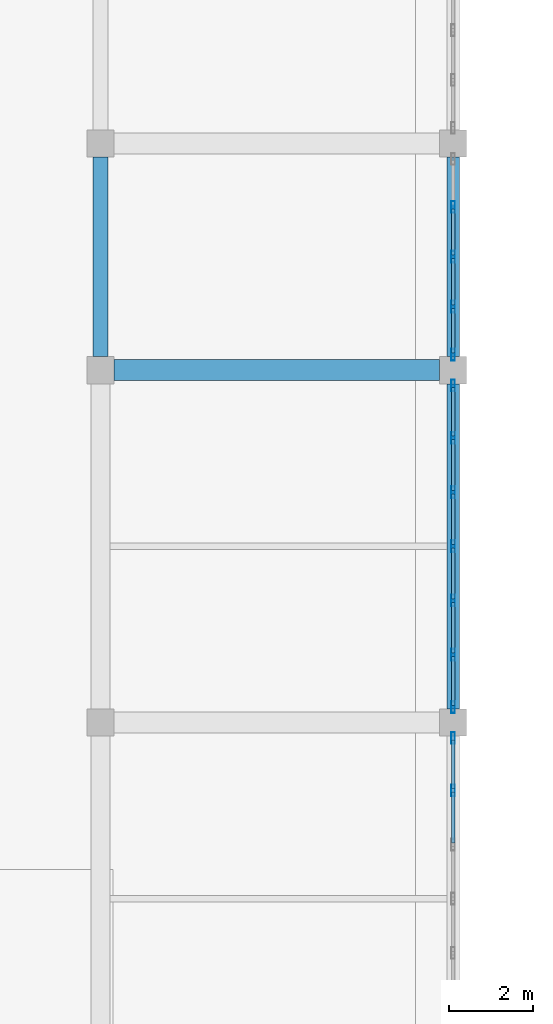
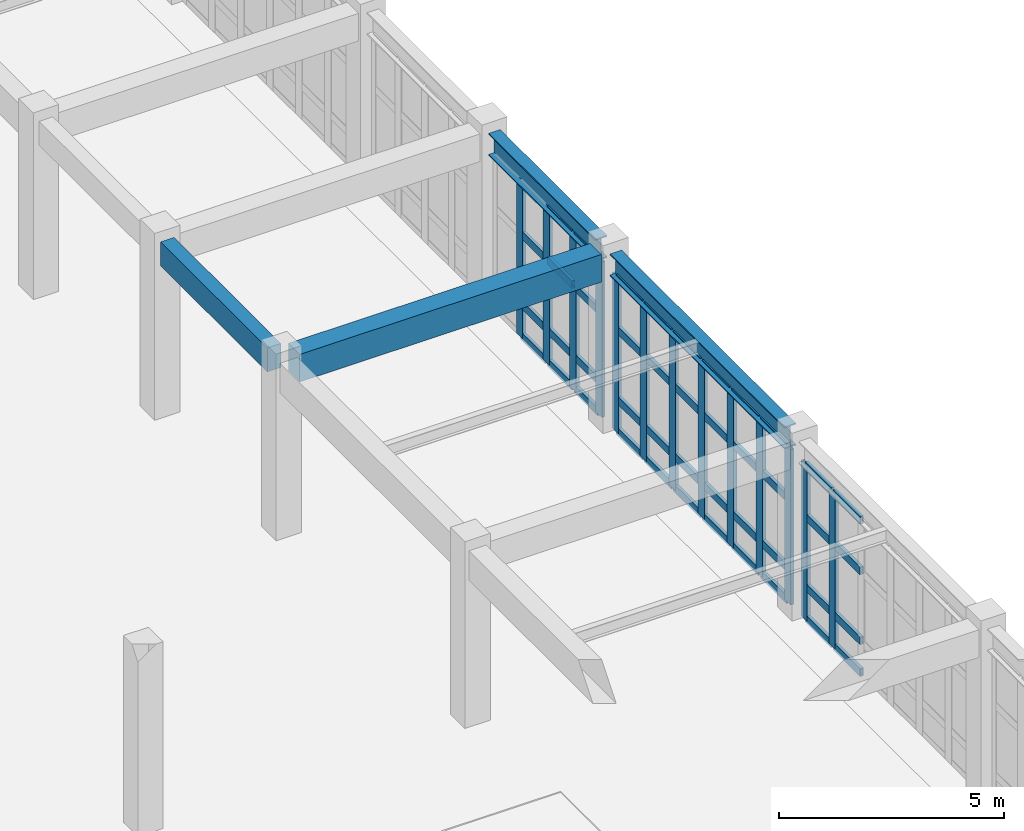
# One storey, part 27 of 80: 56 members, 4 beams, 3 elements without a shape of their own.
"""IFC4 building model written with IfcOpenShell, lengths in metres."""

from ifc_helpers import new_model, si_unit, direction, frame, origin, origin_2d, place, context, subcontext, project, spatial, rectangle, hollow_rectangle, i_section, extrude, material, layer, layer_set, material_profile, profile_set, type_object, element, aggregate, save


model = new_model("IFC4")

# Units and contexts
model_context = context("Model", 3, precision=1e-05, world=origin(), true_north=direction((0.0, 1.0)))
body_context = subcontext(model_context, "Body", "Model", "MODEL_VIEW")
ifc_project = project(units=[si_unit("LENGTHUNIT", "METRE"), si_unit("AREAUNIT", "SQUARE_METRE"), si_unit("VOLUMEUNIT", "CUBIC_METRE"), si_unit("PLANEANGLEUNIT", "RADIAN"), si_unit("MASSUNIT", "GRAM", prefix="KILO")], contexts=[model_context])

# Site, building, storey
site_placement = place(None, origin())
site = spatial("IfcSite", under=ifc_project, at=site_placement, CompositionType="ELEMENT")
building_placement = place(site_placement, origin())
building = spatial("IfcBuilding", under=site, at=building_placement, Name="Krzemoval Escarpment Law Courts", CompositionType="ELEMENT")
storey_placement = place(building_placement, origin())
storey = spatial("IfcBuildingStorey", under=building, at=storey_placement, Name="L00", CompositionType="ELEMENT", Elevation=0.0)

# Beams
ifc_material_1 = material(Name="Concrete C40/50", Category="concrete")
ifc_material_profile_1 = material_profile(ifc_material_1, rectangle(XDim=0.35009765625, YDim=0.64990234375, at=origin_2d()), Name="RCB 350x650")
ifc_profile_set_1 = profile_set([ifc_material_profile_1], Name="Concrete C40/50")
beam_type_1 = type_object("IfcBeamType", Name="BM-RC-350x650", PredefinedType="BEAM", material=ifc_profile_set_1)
beam_1_placement = place(storey_placement, frame((33.60009765625, 74.72509765625, 4.4951171875), z_axis=(0.0, 1.0, 0.0), x_axis=(-1.0, 0.0, 0.0)))
element("IfcBeam", 1, at=beam_1_placement, inside=storey, type_object=beam_type_1, Name="Beam FG-L00-0871", PredefinedType="BEAM", context=body_context, shape_type="SweptSolid", body=[
    extrude(rectangle(XDim=0.35009765625, YDim=0.64990234375, at=origin_2d()), origin(), (0.0, 0.0, 1.0), 4.75),
])
ifc_material_2 = material(Name="Concrete C40/50", Category="concrete")
ifc_material_profile_2 = material_profile(ifc_material_2, rectangle(XDim=0.5, YDim=0.75, at=origin_2d()), Name="RCB 500x750")
ifc_profile_set_2 = profile_set([ifc_material_profile_2], Name="Concrete C40/50")
beam_type_2 = type_object("IfcBeamType", Name="BM-RC-500x750", PredefinedType="BEAM", material=ifc_profile_set_2)
beam_2_placement = place(storey_placement, frame((33.925048828125, 74.39990234375, 4.445068359375), z_axis=(1.0, 0.0, 0.0), x_axis=(0.0, 1.0, 0.0)))
element("IfcBeam", 2, at=beam_2_placement, inside=storey, type_object=beam_type_2, Name="Beam FG-L00-0714", PredefinedType="BEAM", context=body_context, shape_type="SweptSolid", body=[
    extrude(rectangle(XDim=0.5, YDim=0.75, at=origin_2d()), origin(), (0.0, 0.0, 1.0), 7.75),
])

# Curtain wall, members
ifc_material_3 = material(Name="Aluminium 6063-T6", Category="aluminium")
ifc_layer = layer(ifc_material_3, 0.280029296875)
ifc_layer_set = layer_set([ifc_layer], Name="Aluminium 6063-T6")
curtain_wall_type = type_object("IfcCurtainWallType", Name="CW-HALL-5100", PredefinedType="USERDEFINED", material=ifc_layer_set)
curtain_wall_1_placement = place(storey_placement, origin())
curtain_wall_1 = element("IfcCurtainWall", 3, at=curtain_wall_1_placement, inside=storey, type_object=curtain_wall_type, Name="Unitised Curtain Wall FCW-L00-018", ObjectType="UNITISED_CURTAIN_WALL", PredefinedType="USERDEFINED")
ifc_material_4 = material(Name="Aluminium 6063-T6", Category="aluminium")
ifc_material_profile_3 = material_profile(ifc_material_4, hollow_rectangle(XDim=0.0849609375, YDim=0.280029296875, WallThickness=0.005615234375, at=origin_2d()), Name="ALU M85x280")
ifc_profile_set_3 = profile_set([ifc_material_profile_3], Name="Aluminium 6063-T6")
member_type_1 = type_object("IfcMemberType", Name="CWM-85x280", PredefinedType="MULLION", material=ifc_profile_set_3)
member_1_placement = place(storey_placement, frame((42.0, 78.28759765625, 0.0), z_axis=(0.0, 0.0, 1.0), x_axis=(1.0, 0.0, 0.0)))
member_1 = element("IfcMember", 4, at=member_1_placement, type_object=member_type_1, Name="FCW-L00-018 mullion 2", PredefinedType="MULLION", context=body_context, shape_type="SweptSolid", body=[
    extrude(hollow_rectangle(XDim=0.0849609375, YDim=0.280029296875, WallThickness=0.005615234375, at=origin_2d()), origin(), (0.0, 0.0, 1.0), 4.219970703125),
])
member_2_placement = place(storey_placement, frame((42.0, 77.10009765625, 0.0), z_axis=(0.0, 0.0, 1.0), x_axis=(1.0, 0.0, 0.0)))
member_2 = element("IfcMember", 5, at=member_2_placement, type_object=member_type_1, Name="FCW-L00-018 mullion 3", PredefinedType="MULLION", context=body_context, shape_type="SweptSolid", body=[
    extrude(hollow_rectangle(XDim=0.0849609375, YDim=0.280029296875, WallThickness=0.005615234375, at=origin_2d()), origin(), (0.0, 0.0, 1.0), 4.219970703125),
])
member_3_placement = place(storey_placement, frame((42.0, 75.91259765625, 0.0), z_axis=(0.0, 0.0, 1.0), x_axis=(1.0, 0.0, 0.0)))
member_3 = element("IfcMember", 6, at=member_3_placement, type_object=member_type_1, Name="FCW-L00-018 mullion 4", PredefinedType="MULLION", context=body_context, shape_type="SweptSolid", body=[
    extrude(hollow_rectangle(XDim=0.0849609375, YDim=0.280029296875, WallThickness=0.005615234375, at=origin_2d()), origin(), (0.0, 0.0, 1.0), 4.219970703125),
])
member_4_placement = place(storey_placement, frame((42.0, 74.767578125, 0.0), z_axis=(0.0, 0.0, 1.0), x_axis=(1.0, 0.0, 0.0)))
member_4 = element("IfcMember", 7, at=member_4_placement, type_object=member_type_1, Name="FCW-L00-018 mullion 5", PredefinedType="MULLION", context=body_context, shape_type="SweptSolid", body=[
    extrude(hollow_rectangle(XDim=0.0849609375, YDim=0.280029296875, WallThickness=0.005615234375, at=origin_2d()), origin(), (0.0, 0.0, 1.0), 4.219970703125),
])

curtain_wall_2_placement = place(storey_placement, origin())
curtain_wall_2 = element("IfcCurtainWall", 8, at=curtain_wall_2_placement, inside=storey, type_object=curtain_wall_type, Name="Unitised Curtain Wall FCW-L00-019", ObjectType="UNITISED_CURTAIN_WALL", PredefinedType="USERDEFINED")
member_5_placement = place(storey_placement, frame((42.0, 74.032470703125, 0.0), z_axis=(0.0, 0.0, 1.0), x_axis=(1.0, 0.0, 0.0)))
member_5 = element("IfcMember", 9, at=member_5_placement, type_object=member_type_1, Name="FCW-L00-019 mullion 1", PredefinedType="MULLION", context=body_context, shape_type="SweptSolid", body=[
    extrude(hollow_rectangle(XDim=0.0849609375, YDim=0.280029296875, WallThickness=0.005615234375, at=origin_2d()), origin(), (0.0, 0.0, 1.0), 4.219970703125),
])
member_6_placement = place(storey_placement, frame((42.0, 72.783447265625, 0.0), z_axis=(0.0, 0.0, 1.0), x_axis=(1.0, 0.0, 0.0)))
member_6 = element("IfcMember", 10, at=member_6_placement, type_object=member_type_1, Name="FCW-L00-019 mullion 2", PredefinedType="MULLION", context=body_context, shape_type="SweptSolid", body=[
    extrude(hollow_rectangle(XDim=0.0849609375, YDim=0.280029296875, WallThickness=0.005615234375, at=origin_2d()), origin(), (0.0, 0.0, 1.0), 4.219970703125),
])
member_7_placement = place(storey_placement, frame((42.0, 71.49169921875, 0.0), z_axis=(0.0, 0.0, 1.0), x_axis=(1.0, 0.0, 0.0)))
member_7 = element("IfcMember", 11, at=member_7_placement, type_object=member_type_1, Name="FCW-L00-019 mullion 3", PredefinedType="MULLION", context=body_context, shape_type="SweptSolid", body=[
    extrude(hollow_rectangle(XDim=0.0849609375, YDim=0.280029296875, WallThickness=0.005615234375, at=origin_2d()), origin(), (0.0, 0.0, 1.0), 4.219970703125),
])
member_8_placement = place(storey_placement, frame((42.0, 70.199951171875, 0.0), z_axis=(0.0, 0.0, 1.0), x_axis=(1.0, 0.0, 0.0)))
member_8 = element("IfcMember", 12, at=member_8_placement, type_object=member_type_1, Name="FCW-L00-019 mullion 4", PredefinedType="MULLION", context=body_context, shape_type="SweptSolid", body=[
    extrude(hollow_rectangle(XDim=0.0849609375, YDim=0.280029296875, WallThickness=0.005615234375, at=origin_2d()), origin(), (0.0, 0.0, 1.0), 4.219970703125),
])
member_9_placement = place(storey_placement, frame((42.0, 68.908447265625, 0.0), z_axis=(0.0, 0.0, 1.0), x_axis=(1.0, 0.0, 0.0)))
member_9 = element("IfcMember", 13, at=member_9_placement, type_object=member_type_1, Name="FCW-L00-019 mullion 5", PredefinedType="MULLION", context=body_context, shape_type="SweptSolid", body=[
    extrude(hollow_rectangle(XDim=0.0849609375, YDim=0.280029296875, WallThickness=0.005615234375, at=origin_2d()), origin(), (0.0, 0.0, 1.0), 4.219970703125),
])
member_10_placement = place(storey_placement, frame((42.0, 67.61669921875, 0.0), z_axis=(0.0, 0.0, 1.0), x_axis=(1.0, 0.0, 0.0)))
member_10 = element("IfcMember", 14, at=member_10_placement, type_object=member_type_1, Name="FCW-L00-019 mullion 6", PredefinedType="MULLION", context=body_context, shape_type="SweptSolid", body=[
    extrude(hollow_rectangle(XDim=0.0849609375, YDim=0.280029296875, WallThickness=0.005615234375, at=origin_2d()), origin(), (0.0, 0.0, 1.0), 4.219970703125),
])
member_11_placement = place(storey_placement, frame((42.0, 66.367431640625, 0.0), z_axis=(0.0, 0.0, 1.0), x_axis=(1.0, 0.0, 0.0)))
member_11 = element("IfcMember", 15, at=member_11_placement, type_object=member_type_1, Name="FCW-L00-019 mullion 7", PredefinedType="MULLION", context=body_context, shape_type="SweptSolid", body=[
    extrude(hollow_rectangle(XDim=0.0849609375, YDim=0.280029296875, WallThickness=0.005615234375, at=origin_2d()), origin(), (0.0, 0.0, 1.0), 4.219970703125),
])

curtain_wall_3_placement = place(storey_placement, origin())
curtain_wall_3 = element("IfcCurtainWall", 16, at=curtain_wall_3_placement, inside=storey, type_object=curtain_wall_type, Name="Unitised Curtain Wall FCW-L00-020", ObjectType="UNITISED_CURTAIN_WALL", PredefinedType="USERDEFINED")
member_12_placement = place(storey_placement, frame((42.0, 65.632568359375, 0.0), z_axis=(0.0, 0.0, 1.0), x_axis=(1.0, 0.0, 0.0)))
member_12 = element("IfcMember", 17, at=member_12_placement, type_object=member_type_1, Name="FCW-L00-020 mullion 1", PredefinedType="MULLION", context=body_context, shape_type="SweptSolid", body=[
    extrude(hollow_rectangle(XDim=0.0849609375, YDim=0.280029296875, WallThickness=0.005615234375, at=origin_2d()), origin(), (0.0, 0.0, 1.0), 4.219970703125),
])
member_13_placement = place(storey_placement, frame((42.0, 64.38330078125, 0.0), z_axis=(0.0, 0.0, 1.0), x_axis=(1.0, 0.0, 0.0)))
member_13 = element("IfcMember", 18, at=member_13_placement, type_object=member_type_1, Name="FCW-L00-020 mullion 2", PredefinedType="MULLION", context=body_context, shape_type="SweptSolid", body=[
    extrude(hollow_rectangle(XDim=0.0849609375, YDim=0.280029296875, WallThickness=0.005615234375, at=origin_2d()), origin(), (0.0, 0.0, 1.0), 4.219970703125),
])

# Member
ifc_material_5 = material(Name="Aluminium 6063-T6", Category="aluminium")
ifc_material_profile_4 = material_profile(ifc_material_5, hollow_rectangle(XDim=0.0849609375, YDim=0.2099609375, WallThickness=0.005615234375, at=origin_2d()), Name="ALU T85x210")
ifc_profile_set_4 = profile_set([ifc_material_profile_4], Name="Aluminium 6063-T6")
member_type_2 = type_object("IfcMemberType", Name="CWT-85x210", PredefinedType="USERDEFINED", material=ifc_profile_set_4)
member_14_placement = place(storey_placement, frame((42.0, 78.2451171875, 0.04248046875), z_axis=(0.0, -1.0, 0.0), x_axis=(1.0, 0.0, 0.0)))
member_14 = element("IfcMember", 19, at=member_14_placement, type_object=member_type_2, Name="FCW-L00-018 transom 2.1", ObjectType="TRANSOM", PredefinedType="USERDEFINED", context=body_context, shape_type="SweptSolid", body=[
    extrude(hollow_rectangle(XDim=0.0849609375, YDim=0.2099609375, WallThickness=0.005615234375, at=origin_2d()), origin(), (0.0, 0.0, 1.0), 1.1025390625),
])

member_15_placement = place(storey_placement, frame((42.0, 78.2451171875, 0.89990234375), z_axis=(0.0, -1.0, 0.0), x_axis=(1.0, 0.0, 0.0)))
member_15 = element("IfcMember", 20, at=member_15_placement, type_object=member_type_2, Name="FCW-L00-018 transom 2.2", ObjectType="TRANSOM", PredefinedType="USERDEFINED", context=body_context, shape_type="SweptSolid", body=[
    extrude(hollow_rectangle(XDim=0.0849609375, YDim=0.2099609375, WallThickness=0.005615234375, at=origin_2d()), origin(), (0.0, 0.0, 1.0), 1.1025390625),
])

member_16_placement = place(storey_placement, frame((42.0, 78.2451171875, 2.800048828125), z_axis=(0.0, -1.0, 0.0), x_axis=(1.0, 0.0, 0.0)))
member_16 = element("IfcMember", 21, at=member_16_placement, type_object=member_type_2, Name="FCW-L00-018 transom 2.3", ObjectType="TRANSOM", PredefinedType="USERDEFINED", context=body_context, shape_type="SweptSolid", body=[
    extrude(hollow_rectangle(XDim=0.0849609375, YDim=0.2099609375, WallThickness=0.005615234375, at=origin_2d()), origin(), (0.0, 0.0, 1.0), 1.1025390625),
])

member_17_placement = place(storey_placement, frame((42.0, 77.0576171875, 0.04248046875), z_axis=(0.0, -1.0, 0.0), x_axis=(1.0, 0.0, 0.0)))
member_17 = element("IfcMember", 22, at=member_17_placement, type_object=member_type_2, Name="FCW-L00-018 transom 3.1", ObjectType="TRANSOM", PredefinedType="USERDEFINED", context=body_context, shape_type="SweptSolid", body=[
    extrude(hollow_rectangle(XDim=0.0849609375, YDim=0.2099609375, WallThickness=0.005615234375, at=origin_2d()), origin(), (0.0, 0.0, 1.0), 1.1025390625),
])

member_18_placement = place(storey_placement, frame((42.0, 77.0576171875, 0.89990234375), z_axis=(0.0, -1.0, 0.0), x_axis=(1.0, 0.0, 0.0)))
member_18 = element("IfcMember", 23, at=member_18_placement, type_object=member_type_2, Name="FCW-L00-018 transom 3.2", ObjectType="TRANSOM", PredefinedType="USERDEFINED", context=body_context, shape_type="SweptSolid", body=[
    extrude(hollow_rectangle(XDim=0.0849609375, YDim=0.2099609375, WallThickness=0.005615234375, at=origin_2d()), origin(), (0.0, 0.0, 1.0), 1.1025390625),
])

member_19_placement = place(storey_placement, frame((42.0, 77.0576171875, 2.800048828125), z_axis=(0.0, -1.0, 0.0), x_axis=(1.0, 0.0, 0.0)))
member_19 = element("IfcMember", 24, at=member_19_placement, type_object=member_type_2, Name="FCW-L00-018 transom 3.3", ObjectType="TRANSOM", PredefinedType="USERDEFINED", context=body_context, shape_type="SweptSolid", body=[
    extrude(hollow_rectangle(XDim=0.0849609375, YDim=0.2099609375, WallThickness=0.005615234375, at=origin_2d()), origin(), (0.0, 0.0, 1.0), 1.1025390625),
])

member_20_placement = place(storey_placement, frame((42.0, 77.0576171875, 4.177490234375), z_axis=(0.0, -1.0, 0.0), x_axis=(1.0, 0.0, 0.0)))
member_20 = element("IfcMember", 25, at=member_20_placement, type_object=member_type_2, Name="FCW-L00-018 transom 3.4", ObjectType="TRANSOM", PredefinedType="USERDEFINED", context=body_context, shape_type="SweptSolid", body=[
    extrude(hollow_rectangle(XDim=0.0849609375, YDim=0.2099609375, WallThickness=0.005615234375, at=origin_2d()), origin(), (0.0, 0.0, 1.0), 1.1025390625),
])

member_21_placement = place(storey_placement, frame((42.0, 75.8701171875, 0.04248046875), z_axis=(0.0, -1.0, 0.0), x_axis=(1.0, 0.0, 0.0)))
member_21 = element("IfcMember", 26, at=member_21_placement, type_object=member_type_2, Name="FCW-L00-018 transom 4.1", ObjectType="TRANSOM", PredefinedType="USERDEFINED", context=body_context, shape_type="SweptSolid", body=[
    extrude(hollow_rectangle(XDim=0.0849609375, YDim=0.2099609375, WallThickness=0.005615234375, at=origin_2d()), origin(), (0.0, 0.0, 1.0), 1.06005859375),
])

member_22_placement = place(storey_placement, frame((42.0, 75.8701171875, 0.89990234375), z_axis=(0.0, -1.0, 0.0), x_axis=(1.0, 0.0, 0.0)))
member_22 = element("IfcMember", 27, at=member_22_placement, type_object=member_type_2, Name="FCW-L00-018 transom 4.2", ObjectType="TRANSOM", PredefinedType="USERDEFINED", context=body_context, shape_type="SweptSolid", body=[
    extrude(hollow_rectangle(XDim=0.0849609375, YDim=0.2099609375, WallThickness=0.005615234375, at=origin_2d()), origin(), (0.0, 0.0, 1.0), 1.06005859375),
])

member_23_placement = place(storey_placement, frame((42.0, 75.8701171875, 2.800048828125), z_axis=(0.0, -1.0, 0.0), x_axis=(1.0, 0.0, 0.0)))
member_23 = element("IfcMember", 28, at=member_23_placement, type_object=member_type_2, Name="FCW-L00-018 transom 4.3", ObjectType="TRANSOM", PredefinedType="USERDEFINED", context=body_context, shape_type="SweptSolid", body=[
    extrude(hollow_rectangle(XDim=0.0849609375, YDim=0.2099609375, WallThickness=0.005615234375, at=origin_2d()), origin(), (0.0, 0.0, 1.0), 1.06005859375),
])

member_24_placement = place(storey_placement, frame((42.0, 75.8701171875, 4.177490234375), z_axis=(0.0, -1.0, 0.0), x_axis=(1.0, 0.0, 0.0)))
member_24 = element("IfcMember", 29, at=member_24_placement, type_object=member_type_2, Name="FCW-L00-018 transom 4.4", ObjectType="TRANSOM", PredefinedType="USERDEFINED", context=body_context, shape_type="SweptSolid", body=[
    extrude(hollow_rectangle(XDim=0.0849609375, YDim=0.2099609375, WallThickness=0.005615234375, at=origin_2d()), origin(), (0.0, 0.0, 1.0), 1.06005859375),
])

aggregate(curtain_wall_1, [member_1, member_2, member_3, member_4, member_14, member_15, member_16, member_17, member_18, member_19, member_20, member_21, member_22, member_23, member_24])

member_25_placement = place(storey_placement, frame((42.0, 73.989990234375, 0.04248046875), z_axis=(0.0, -1.0, 0.0), x_axis=(1.0, 0.0, 0.0)))
member_25 = element("IfcMember", 30, at=member_25_placement, type_object=member_type_2, Name="FCW-L00-019 transom 1.1", ObjectType="TRANSOM", PredefinedType="USERDEFINED", context=body_context, shape_type="SweptSolid", body=[
    extrude(hollow_rectangle(XDim=0.0849609375, YDim=0.2099609375, WallThickness=0.005615234375, at=origin_2d()), origin(), (0.0, 0.0, 1.0), 1.1640625),
])

member_26_placement = place(storey_placement, frame((42.0, 73.989990234375, 0.89990234375), z_axis=(0.0, -1.0, 0.0), x_axis=(1.0, 0.0, 0.0)))
member_26 = element("IfcMember", 31, at=member_26_placement, type_object=member_type_2, Name="FCW-L00-019 transom 1.2", ObjectType="TRANSOM", PredefinedType="USERDEFINED", context=body_context, shape_type="SweptSolid", body=[
    extrude(hollow_rectangle(XDim=0.0849609375, YDim=0.2099609375, WallThickness=0.005615234375, at=origin_2d()), origin(), (0.0, 0.0, 1.0), 1.1640625),
])

member_27_placement = place(storey_placement, frame((42.0, 73.989990234375, 2.800048828125), z_axis=(0.0, -1.0, 0.0), x_axis=(1.0, 0.0, 0.0)))
member_27 = element("IfcMember", 32, at=member_27_placement, type_object=member_type_2, Name="FCW-L00-019 transom 1.3", ObjectType="TRANSOM", PredefinedType="USERDEFINED", context=body_context, shape_type="SweptSolid", body=[
    extrude(hollow_rectangle(XDim=0.0849609375, YDim=0.2099609375, WallThickness=0.005615234375, at=origin_2d()), origin(), (0.0, 0.0, 1.0), 1.1640625),
])

member_28_placement = place(storey_placement, frame((42.0, 73.989990234375, 4.177490234375), z_axis=(0.0, -1.0, 0.0), x_axis=(1.0, 0.0, 0.0)))
member_28 = element("IfcMember", 33, at=member_28_placement, type_object=member_type_2, Name="FCW-L00-019 transom 1.4", ObjectType="TRANSOM", PredefinedType="USERDEFINED", context=body_context, shape_type="SweptSolid", body=[
    extrude(hollow_rectangle(XDim=0.0849609375, YDim=0.2099609375, WallThickness=0.005615234375, at=origin_2d()), origin(), (0.0, 0.0, 1.0), 1.1640625),
])

member_29_placement = place(storey_placement, frame((42.0, 72.74072265625, 0.04248046875), z_axis=(0.0, -1.0, 0.0), x_axis=(1.0, 0.0, 0.0)))
member_29 = element("IfcMember", 34, at=member_29_placement, type_object=member_type_2, Name="FCW-L00-019 transom 2.1", ObjectType="TRANSOM", PredefinedType="USERDEFINED", context=body_context, shape_type="SweptSolid", body=[
    extrude(hollow_rectangle(XDim=0.0849609375, YDim=0.2099609375, WallThickness=0.005615234375, at=origin_2d()), origin(), (0.0, 0.0, 1.0), 1.20654296875),
])

member_30_placement = place(storey_placement, frame((42.0, 72.74072265625, 0.89990234375), z_axis=(0.0, -1.0, 0.0), x_axis=(1.0, 0.0, 0.0)))
member_30 = element("IfcMember", 35, at=member_30_placement, type_object=member_type_2, Name="FCW-L00-019 transom 2.2", ObjectType="TRANSOM", PredefinedType="USERDEFINED", context=body_context, shape_type="SweptSolid", body=[
    extrude(hollow_rectangle(XDim=0.0849609375, YDim=0.2099609375, WallThickness=0.005615234375, at=origin_2d()), origin(), (0.0, 0.0, 1.0), 1.20654296875),
])

member_31_placement = place(storey_placement, frame((42.0, 72.74072265625, 2.800048828125), z_axis=(0.0, -1.0, 0.0), x_axis=(1.0, 0.0, 0.0)))
member_31 = element("IfcMember", 36, at=member_31_placement, type_object=member_type_2, Name="FCW-L00-019 transom 2.3", ObjectType="TRANSOM", PredefinedType="USERDEFINED", context=body_context, shape_type="SweptSolid", body=[
    extrude(hollow_rectangle(XDim=0.0849609375, YDim=0.2099609375, WallThickness=0.005615234375, at=origin_2d()), origin(), (0.0, 0.0, 1.0), 1.20654296875),
])

member_32_placement = place(storey_placement, frame((42.0, 72.74072265625, 4.177490234375), z_axis=(0.0, -1.0, 0.0), x_axis=(1.0, 0.0, 0.0)))
member_32 = element("IfcMember", 37, at=member_32_placement, type_object=member_type_2, Name="FCW-L00-019 transom 2.4", ObjectType="TRANSOM", PredefinedType="USERDEFINED", context=body_context, shape_type="SweptSolid", body=[
    extrude(hollow_rectangle(XDim=0.0849609375, YDim=0.2099609375, WallThickness=0.005615234375, at=origin_2d()), origin(), (0.0, 0.0, 1.0), 1.20654296875),
])

member_33_placement = place(storey_placement, frame((42.0, 71.44921875, 0.04248046875), z_axis=(0.0, -1.0, 0.0), x_axis=(1.0, 0.0, 0.0)))
member_33 = element("IfcMember", 38, at=member_33_placement, type_object=member_type_2, Name="FCW-L00-019 transom 3.1", ObjectType="TRANSOM", PredefinedType="USERDEFINED", context=body_context, shape_type="SweptSolid", body=[
    extrude(hollow_rectangle(XDim=0.0849609375, YDim=0.2099609375, WallThickness=0.005615234375, at=origin_2d()), origin(), (0.0, 0.0, 1.0), 1.206787109375),
])

member_34_placement = place(storey_placement, frame((42.0, 71.44921875, 0.89990234375), z_axis=(0.0, -1.0, 0.0), x_axis=(1.0, 0.0, 0.0)))
member_34 = element("IfcMember", 39, at=member_34_placement, type_object=member_type_2, Name="FCW-L00-019 transom 3.2", ObjectType="TRANSOM", PredefinedType="USERDEFINED", context=body_context, shape_type="SweptSolid", body=[
    extrude(hollow_rectangle(XDim=0.0849609375, YDim=0.2099609375, WallThickness=0.005615234375, at=origin_2d()), origin(), (0.0, 0.0, 1.0), 1.206787109375),
])

member_35_placement = place(storey_placement, frame((42.0, 71.44921875, 2.800048828125), z_axis=(0.0, -1.0, 0.0), x_axis=(1.0, 0.0, 0.0)))
member_35 = element("IfcMember", 40, at=member_35_placement, type_object=member_type_2, Name="FCW-L00-019 transom 3.3", ObjectType="TRANSOM", PredefinedType="USERDEFINED", context=body_context, shape_type="SweptSolid", body=[
    extrude(hollow_rectangle(XDim=0.0849609375, YDim=0.2099609375, WallThickness=0.005615234375, at=origin_2d()), origin(), (0.0, 0.0, 1.0), 1.206787109375),
])

member_36_placement = place(storey_placement, frame((42.0, 71.44921875, 4.177490234375), z_axis=(0.0, -1.0, 0.0), x_axis=(1.0, 0.0, 0.0)))
member_36 = element("IfcMember", 41, at=member_36_placement, type_object=member_type_2, Name="FCW-L00-019 transom 3.4", ObjectType="TRANSOM", PredefinedType="USERDEFINED", context=body_context, shape_type="SweptSolid", body=[
    extrude(hollow_rectangle(XDim=0.0849609375, YDim=0.2099609375, WallThickness=0.005615234375, at=origin_2d()), origin(), (0.0, 0.0, 1.0), 1.206787109375),
])

member_37_placement = place(storey_placement, frame((42.0, 70.157470703125, 0.04248046875), z_axis=(0.0, -1.0, 0.0), x_axis=(1.0, 0.0, 0.0)))
member_37 = element("IfcMember", 42, at=member_37_placement, type_object=member_type_2, Name="FCW-L00-019 transom 4.1", ObjectType="TRANSOM", PredefinedType="USERDEFINED", context=body_context, shape_type="SweptSolid", body=[
    extrude(hollow_rectangle(XDim=0.0849609375, YDim=0.2099609375, WallThickness=0.005615234375, at=origin_2d()), origin(), (0.0, 0.0, 1.0), 1.20654296875),
])

member_38_placement = place(storey_placement, frame((42.0, 70.157470703125, 0.89990234375), z_axis=(0.0, -1.0, 0.0), x_axis=(1.0, 0.0, 0.0)))
member_38 = element("IfcMember", 43, at=member_38_placement, type_object=member_type_2, Name="FCW-L00-019 transom 4.2", ObjectType="TRANSOM", PredefinedType="USERDEFINED", context=body_context, shape_type="SweptSolid", body=[
    extrude(hollow_rectangle(XDim=0.0849609375, YDim=0.2099609375, WallThickness=0.005615234375, at=origin_2d()), origin(), (0.0, 0.0, 1.0), 1.20654296875),
])

member_39_placement = place(storey_placement, frame((42.0, 70.157470703125, 2.800048828125), z_axis=(0.0, -1.0, 0.0), x_axis=(1.0, 0.0, 0.0)))
member_39 = element("IfcMember", 44, at=member_39_placement, type_object=member_type_2, Name="FCW-L00-019 transom 4.3", ObjectType="TRANSOM", PredefinedType="USERDEFINED", context=body_context, shape_type="SweptSolid", body=[
    extrude(hollow_rectangle(XDim=0.0849609375, YDim=0.2099609375, WallThickness=0.005615234375, at=origin_2d()), origin(), (0.0, 0.0, 1.0), 1.20654296875),
])

member_40_placement = place(storey_placement, frame((42.0, 70.157470703125, 4.177490234375), z_axis=(0.0, -1.0, 0.0), x_axis=(1.0, 0.0, 0.0)))
member_40 = element("IfcMember", 45, at=member_40_placement, type_object=member_type_2, Name="FCW-L00-019 transom 4.4", ObjectType="TRANSOM", PredefinedType="USERDEFINED", context=body_context, shape_type="SweptSolid", body=[
    extrude(hollow_rectangle(XDim=0.0849609375, YDim=0.2099609375, WallThickness=0.005615234375, at=origin_2d()), origin(), (0.0, 0.0, 1.0), 1.20654296875),
])

member_41_placement = place(storey_placement, frame((42.0, 68.86572265625, 0.04248046875), z_axis=(0.0, -1.0, 0.0), x_axis=(1.0, 0.0, 0.0)))
member_41 = element("IfcMember", 46, at=member_41_placement, type_object=member_type_2, Name="FCW-L00-019 transom 5.1", ObjectType="TRANSOM", PredefinedType="USERDEFINED", context=body_context, shape_type="SweptSolid", body=[
    extrude(hollow_rectangle(XDim=0.0849609375, YDim=0.2099609375, WallThickness=0.005615234375, at=origin_2d()), origin(), (0.0, 0.0, 1.0), 1.20654296875),
])

member_42_placement = place(storey_placement, frame((42.0, 68.86572265625, 0.89990234375), z_axis=(0.0, -1.0, 0.0), x_axis=(1.0, 0.0, 0.0)))
member_42 = element("IfcMember", 47, at=member_42_placement, type_object=member_type_2, Name="FCW-L00-019 transom 5.2", ObjectType="TRANSOM", PredefinedType="USERDEFINED", context=body_context, shape_type="SweptSolid", body=[
    extrude(hollow_rectangle(XDim=0.0849609375, YDim=0.2099609375, WallThickness=0.005615234375, at=origin_2d()), origin(), (0.0, 0.0, 1.0), 1.20654296875),
])

member_43_placement = place(storey_placement, frame((42.0, 68.86572265625, 2.800048828125), z_axis=(0.0, -1.0, 0.0), x_axis=(1.0, 0.0, 0.0)))
member_43 = element("IfcMember", 48, at=member_43_placement, type_object=member_type_2, Name="FCW-L00-019 transom 5.3", ObjectType="TRANSOM", PredefinedType="USERDEFINED", context=body_context, shape_type="SweptSolid", body=[
    extrude(hollow_rectangle(XDim=0.0849609375, YDim=0.2099609375, WallThickness=0.005615234375, at=origin_2d()), origin(), (0.0, 0.0, 1.0), 1.20654296875),
])

member_44_placement = place(storey_placement, frame((42.0, 68.86572265625, 4.177490234375), z_axis=(0.0, -1.0, 0.0), x_axis=(1.0, 0.0, 0.0)))
member_44 = element("IfcMember", 49, at=member_44_placement, type_object=member_type_2, Name="FCW-L00-019 transom 5.4", ObjectType="TRANSOM", PredefinedType="USERDEFINED", context=body_context, shape_type="SweptSolid", body=[
    extrude(hollow_rectangle(XDim=0.0849609375, YDim=0.2099609375, WallThickness=0.005615234375, at=origin_2d()), origin(), (0.0, 0.0, 1.0), 1.20654296875),
])

member_45_placement = place(storey_placement, frame((42.0, 67.57421875, 0.04248046875), z_axis=(0.0, -1.0, 0.0), x_axis=(1.0, 0.0, 0.0)))
member_45 = element("IfcMember", 50, at=member_45_placement, type_object=member_type_2, Name="FCW-L00-019 transom 6.1", ObjectType="TRANSOM", PredefinedType="USERDEFINED", context=body_context, shape_type="SweptSolid", body=[
    extrude(hollow_rectangle(XDim=0.0849609375, YDim=0.2099609375, WallThickness=0.005615234375, at=origin_2d()), origin(), (0.0, 0.0, 1.0), 1.164306640625),
])

member_46_placement = place(storey_placement, frame((42.0, 67.57421875, 0.89990234375), z_axis=(0.0, -1.0, 0.0), x_axis=(1.0, 0.0, 0.0)))
member_46 = element("IfcMember", 51, at=member_46_placement, type_object=member_type_2, Name="FCW-L00-019 transom 6.2", ObjectType="TRANSOM", PredefinedType="USERDEFINED", context=body_context, shape_type="SweptSolid", body=[
    extrude(hollow_rectangle(XDim=0.0849609375, YDim=0.2099609375, WallThickness=0.005615234375, at=origin_2d()), origin(), (0.0, 0.0, 1.0), 1.164306640625),
])

member_47_placement = place(storey_placement, frame((42.0, 67.57421875, 2.800048828125), z_axis=(0.0, -1.0, 0.0), x_axis=(1.0, 0.0, 0.0)))
member_47 = element("IfcMember", 52, at=member_47_placement, type_object=member_type_2, Name="FCW-L00-019 transom 6.3", ObjectType="TRANSOM", PredefinedType="USERDEFINED", context=body_context, shape_type="SweptSolid", body=[
    extrude(hollow_rectangle(XDim=0.0849609375, YDim=0.2099609375, WallThickness=0.005615234375, at=origin_2d()), origin(), (0.0, 0.0, 1.0), 1.164306640625),
])

member_48_placement = place(storey_placement, frame((42.0, 67.57421875, 4.177490234375), z_axis=(0.0, -1.0, 0.0), x_axis=(1.0, 0.0, 0.0)))
member_48 = element("IfcMember", 53, at=member_48_placement, type_object=member_type_2, Name="FCW-L00-019 transom 6.4", ObjectType="TRANSOM", PredefinedType="USERDEFINED", context=body_context, shape_type="SweptSolid", body=[
    extrude(hollow_rectangle(XDim=0.0849609375, YDim=0.2099609375, WallThickness=0.005615234375, at=origin_2d()), origin(), (0.0, 0.0, 1.0), 1.164306640625),
])

aggregate(curtain_wall_2, [member_5, member_6, member_7, member_8, member_9, member_10, member_11, member_25, member_26, member_27, member_28, member_29, member_30, member_31, member_32, member_33, member_34, member_35, member_36, member_37, member_38, member_39, member_40, member_41, member_42, member_43, member_44, member_45, member_46, member_47, member_48])

member_49_placement = place(storey_placement, frame((42.0, 65.590087890625, 0.04248046875), z_axis=(0.0, -1.0, 0.0), x_axis=(1.0, 0.0, 0.0)))
member_49 = element("IfcMember", 54, at=member_49_placement, type_object=member_type_2, Name="FCW-L00-020 transom 1.1", ObjectType="TRANSOM", PredefinedType="USERDEFINED", context=body_context, shape_type="SweptSolid", body=[
    extrude(hollow_rectangle(XDim=0.0849609375, YDim=0.2099609375, WallThickness=0.005615234375, at=origin_2d()), origin(), (0.0, 0.0, 1.0), 1.164306640625),
])

member_50_placement = place(storey_placement, frame((42.0, 65.590087890625, 0.89990234375), z_axis=(0.0, -1.0, 0.0), x_axis=(1.0, 0.0, 0.0)))
member_50 = element("IfcMember", 55, at=member_50_placement, type_object=member_type_2, Name="FCW-L00-020 transom 1.2", ObjectType="TRANSOM", PredefinedType="USERDEFINED", context=body_context, shape_type="SweptSolid", body=[
    extrude(hollow_rectangle(XDim=0.0849609375, YDim=0.2099609375, WallThickness=0.005615234375, at=origin_2d()), origin(), (0.0, 0.0, 1.0), 1.164306640625),
])

member_51_placement = place(storey_placement, frame((42.0, 65.590087890625, 2.800048828125), z_axis=(0.0, -1.0, 0.0), x_axis=(1.0, 0.0, 0.0)))
member_51 = element("IfcMember", 56, at=member_51_placement, type_object=member_type_2, Name="FCW-L00-020 transom 1.3", ObjectType="TRANSOM", PredefinedType="USERDEFINED", context=body_context, shape_type="SweptSolid", body=[
    extrude(hollow_rectangle(XDim=0.0849609375, YDim=0.2099609375, WallThickness=0.005615234375, at=origin_2d()), origin(), (0.0, 0.0, 1.0), 1.164306640625),
])

member_52_placement = place(storey_placement, frame((42.0, 65.590087890625, 4.177490234375), z_axis=(0.0, -1.0, 0.0), x_axis=(1.0, 0.0, 0.0)))
member_52 = element("IfcMember", 57, at=member_52_placement, type_object=member_type_2, Name="FCW-L00-020 transom 1.4", ObjectType="TRANSOM", PredefinedType="USERDEFINED", context=body_context, shape_type="SweptSolid", body=[
    extrude(hollow_rectangle(XDim=0.0849609375, YDim=0.2099609375, WallThickness=0.005615234375, at=origin_2d()), origin(), (0.0, 0.0, 1.0), 1.164306640625),
])

member_53_placement = place(storey_placement, frame((42.0, 64.3408203125, 0.04248046875), z_axis=(0.0, -1.0, 0.0), x_axis=(1.0, 0.0, 0.0)))
member_53 = element("IfcMember", 58, at=member_53_placement, type_object=member_type_2, Name="FCW-L00-020 transom 2.1", ObjectType="TRANSOM", PredefinedType="USERDEFINED", context=body_context, shape_type="SweptSolid", body=[
    extrude(hollow_rectangle(XDim=0.0849609375, YDim=0.2099609375, WallThickness=0.005615234375, at=origin_2d()), origin(), (0.0, 0.0, 1.0), 1.20654296875),
])

member_54_placement = place(storey_placement, frame((42.0, 64.3408203125, 0.89990234375), z_axis=(0.0, -1.0, 0.0), x_axis=(1.0, 0.0, 0.0)))
member_54 = element("IfcMember", 59, at=member_54_placement, type_object=member_type_2, Name="FCW-L00-020 transom 2.2", ObjectType="TRANSOM", PredefinedType="USERDEFINED", context=body_context, shape_type="SweptSolid", body=[
    extrude(hollow_rectangle(XDim=0.0849609375, YDim=0.2099609375, WallThickness=0.005615234375, at=origin_2d()), origin(), (0.0, 0.0, 1.0), 1.20654296875),
])

member_55_placement = place(storey_placement, frame((42.0, 64.3408203125, 2.800048828125), z_axis=(0.0, -1.0, 0.0), x_axis=(1.0, 0.0, 0.0)))
member_55 = element("IfcMember", 60, at=member_55_placement, type_object=member_type_2, Name="FCW-L00-020 transom 2.3", ObjectType="TRANSOM", PredefinedType="USERDEFINED", context=body_context, shape_type="SweptSolid", body=[
    extrude(hollow_rectangle(XDim=0.0849609375, YDim=0.2099609375, WallThickness=0.005615234375, at=origin_2d()), origin(), (0.0, 0.0, 1.0), 1.20654296875),
])

member_56_placement = place(storey_placement, frame((42.0, 64.3408203125, 4.177490234375), z_axis=(0.0, -1.0, 0.0), x_axis=(1.0, 0.0, 0.0)))
member_56 = element("IfcMember", 61, at=member_56_placement, type_object=member_type_2, Name="FCW-L00-020 transom 2.4", ObjectType="TRANSOM", PredefinedType="USERDEFINED", context=body_context, shape_type="SweptSolid", body=[
    extrude(hollow_rectangle(XDim=0.0849609375, YDim=0.2099609375, WallThickness=0.005615234375, at=origin_2d()), origin(), (0.0, 0.0, 1.0), 1.20654296875),
])

aggregate(curtain_wall_3, [member_12, member_13, member_49, member_50, member_51, member_52, member_53, member_54, member_55, member_56])

# Beams
ifc_material_6 = material(Name="Steel S355", Category="steel")
ifc_material_profile_5 = material_profile(ifc_material_6, i_section(OverallWidth=0.300048828125, OverallDepth=0.60009765625, WebThickness=0.015380859375, FlangeThickness=0.030029296875, at=origin_2d()), Name="HEB 600")
ifc_profile_set_5 = profile_set([ifc_material_profile_5], Name="Steel S355")
beam_type_3 = type_object("IfcBeamType", Name="SPN-S355-HEB600", PredefinedType="SPANDREL", material=ifc_profile_set_5)
beam_3_placement = place(storey_placement, frame((42.0, 66.324951171875, 4.52001953125), z_axis=(0.0, 1.0, 0.0), x_axis=(-1.0, 0.0, 0.0)))
element("IfcBeam", 62, at=beam_3_placement, inside=storey, type_object=beam_type_3, Name="Beam FG-L00-0886", PredefinedType="SPANDREL", context=body_context, shape_type="SweptSolid", body=[
    extrude(i_section(OverallWidth=0.300048828125, OverallDepth=0.60009765625, WebThickness=0.015380859375, FlangeThickness=0.030029296875, at=origin_2d()), origin(), (0.0, 0.0, 1.0), 7.75),
])
beam_4_placement = place(storey_placement, frame((42.0, 74.72509765625, 4.52001953125), z_axis=(0.0, 1.0, 0.0), x_axis=(-1.0, 0.0, 0.0)))
element("IfcBeam", 63, at=beam_4_placement, inside=storey, type_object=beam_type_3, Name="Beam FG-L00-0887", PredefinedType="SPANDREL", context=body_context, shape_type="SweptSolid", body=[
    extrude(i_section(OverallWidth=0.300048828125, OverallDepth=0.60009765625, WebThickness=0.015380859375, FlangeThickness=0.030029296875, at=origin_2d()), origin(), (0.0, 0.0, 1.0), 4.75),
])

save(model, "model.ifc")
